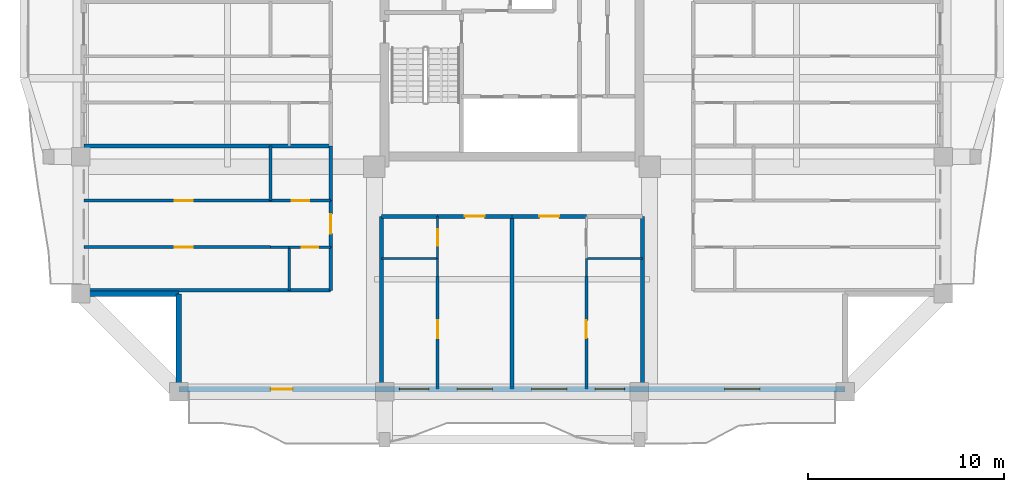
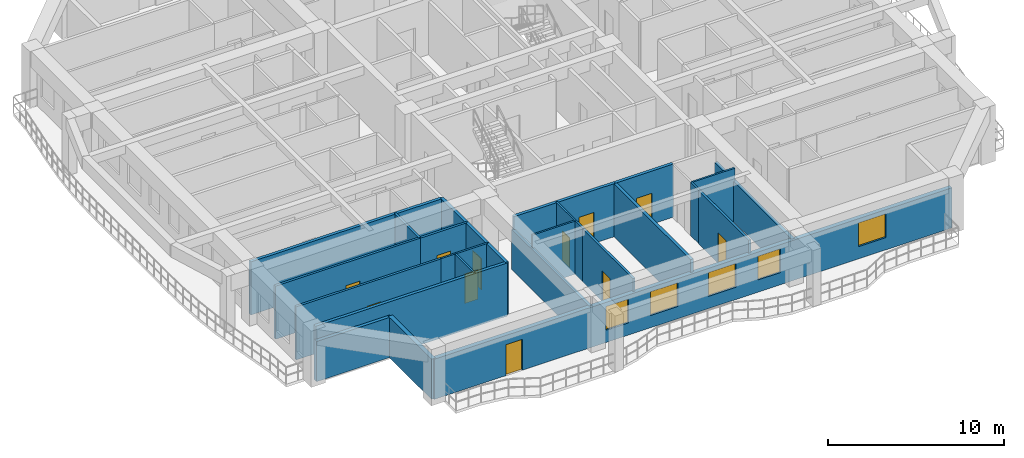
# One storey, part 2 of 15: 28 walls, 11 doors, 5 windows, 16 openings.
"""IFC4 building model written with IfcOpenShell, lengths in metres."""

from ifc_helpers import new_model, si_unit, direction, frame, frame_2d, origin, place, context, subcontext, project, spatial, rectangle, extrude, source, transform, mapped, material, layer, layer_set, type_object, element, fill, save


model = new_model("IFC4")

# Units and contexts
model_context = context("Model", 3, precision=1e-05, world=origin(), true_north=direction((0.0, 1.0)))
body_context = subcontext(model_context, "Body", "Model", "MODEL_VIEW")
ifc_project = project(units=[si_unit("LENGTHUNIT", "METRE"), si_unit("AREAUNIT", "SQUARE_METRE"), si_unit("VOLUMEUNIT", "CUBIC_METRE"), si_unit("PLANEANGLEUNIT", "RADIAN"), si_unit("MASSUNIT", "GRAM", prefix="KILO")], contexts=[model_context])

# Site, building, storey
site_placement = place(None, origin())
site = spatial("IfcSite", under=ifc_project, at=site_placement, CompositionType="ELEMENT")
building_placement = place(site_placement, origin())
building = spatial("IfcBuilding", under=site, at=building_placement, Name="Saelheon Loggia Tower", CompositionType="ELEMENT")
storey_placement = place(building_placement, frame((0.0, 0.0, 159.10009765625)))
storey = spatial("IfcBuildingStorey", under=building, at=storey_placement, Name="L50", CompositionType="ELEMENT", Elevation=159.10009765625)

# Wall, openings, windows, door
ifc_material_1 = material(Name="Architectural Precast Concrete C40/50", Category="concrete")
ifc_layer_1 = layer(ifc_material_1, 0.280029296875)
ifc_layer_set_1 = layer_set([ifc_layer_1], Name="Architectural Precast Concrete C40/50")
wall_type_1 = type_object("IfcWallType", Name="Wall_Ext_Loggia_280", PredefinedType="SOLIDWALL", material=ifc_layer_set_1)
wall_1_placement = place(storey_placement, frame((21.0, 6.139892578125, 0.0), z_axis=(0.0, 0.0, 1.0), x_axis=(1.0, 0.0, 0.0)))
wall_1 = element("IfcWall", 1, at=wall_1_placement, inside=storey, type_object=wall_type_1, Name="L50 South Loggia Inner Wall", PredefinedType="SOLIDWALL", context=body_context, shape_type="SweptSolid", body=[
    extrude(rectangle(XDim=34.0, YDim=0.280029296875, at=frame_2d((17.0, 0.0))), origin(), (0.0, 0.0, 1.0), 2.789794921875),
])
opening_1_placement = place(wall_1_placement, frame((5.800048828125, 0.0, 0.0), z_axis=(0.0, 0.0, 1.0), x_axis=(-1.0, 0.0, 0.0)))
opening_1 = element("IfcOpeningElement", 2, at=opening_1_placement, cuts=wall_1, Name="Opening TD1", PredefinedType="OPENING", context=body_context, shape_type="SweptSolid", body=[
    extrude(rectangle(XDim=1.10009765625, YDim=2.14990234375, at=frame_2d((0.550048828125, 1.074951171875))), frame((0.0, 0.152099609375, 0.0), z_axis=(0.0, -1.0, 0.0), x_axis=(1.0, 0.0, 0.0)), (0.0, 0.0, 1.0), 0.303955078125),
])
opening_2_placement = place(wall_1_placement, frame((11.257568359375, 0.0, 0.85009765625)))
opening_2 = element("IfcOpeningElement", 3, at=opening_2_placement, cuts=wall_1, Name="Opening WN-02", PredefinedType="OPENING", context=body_context, shape_type="SweptSolid", body=[
    extrude(rectangle(XDim=1.5, YDim=1.64990234375, at=frame_2d((0.75, 0.824951171875))), frame((0.0, 0.152099609375, 0.0), z_axis=(0.0, -1.0, 0.0), x_axis=(1.0, 0.0, 0.0)), (0.0, 0.0, 1.0), 0.303955078125),
])
opening_3_placement = place(wall_1_placement, frame((14.199951171875, 0.0, 0.85009765625)))
opening_3 = element("IfcOpeningElement", 4, at=opening_3_placement, cuts=wall_1, Name="Opening WN-01", PredefinedType="OPENING", context=body_context, shape_type="SweptSolid", body=[
    extrude(rectangle(XDim=1.800048828125, YDim=1.64990234375, at=frame_2d((0.89990234375, 0.824951171875))), frame((0.0, 0.152099609375, 0.0), z_axis=(0.0, -1.0, 0.0), x_axis=(1.0, 0.0, 0.0)), (0.0, 0.0, 1.0), 0.303955078125),
])
opening_4_placement = place(wall_1_placement, frame((18.0, 0.0, 0.85009765625)))
opening_4 = element("IfcOpeningElement", 5, at=opening_4_placement, cuts=wall_1, Name="Opening WN-01", PredefinedType="OPENING", context=body_context, shape_type="SweptSolid", body=[
    extrude(rectangle(XDim=1.800048828125, YDim=1.64990234375, at=frame_2d((0.89990234375, 0.824951171875))), frame((0.0, 0.152099609375, 0.0), z_axis=(0.0, -1.0, 0.0), x_axis=(1.0, 0.0, 0.0)), (0.0, 0.0, 1.0), 0.303955078125),
])
opening_5_placement = place(wall_1_placement, frame((21.242431640625, 0.0, 0.85009765625)))
opening_5 = element("IfcOpeningElement", 6, at=opening_5_placement, cuts=wall_1, Name="Opening WN-02", PredefinedType="OPENING", context=body_context, shape_type="SweptSolid", body=[
    extrude(rectangle(XDim=1.5, YDim=1.64990234375, at=frame_2d((0.75, 0.824951171875))), frame((0.0, 0.152099609375, 0.0), z_axis=(0.0, -1.0, 0.0), x_axis=(1.0, 0.0, 0.0)), (0.0, 0.0, 1.0), 0.303955078125),
])
opening_6_placement = place(wall_1_placement, frame((27.85009765625, 0.0, 0.85009765625)))
opening_6 = element("IfcOpeningElement", 7, at=opening_6_placement, cuts=wall_1, Name="Opening WN-01", PredefinedType="OPENING", context=body_context, shape_type="SweptSolid", body=[
    extrude(rectangle(XDim=1.800048828125, YDim=1.64990234375, at=frame_2d((0.89990234375, 0.824951171875))), frame((0.0, 0.152099609375, 0.0), z_axis=(0.0, -1.0, 0.0), x_axis=(1.0, 0.0, 0.0)), (0.0, 0.0, 1.0), 0.303955078125),
])
ifc_material_2 = material(Name="Thermal-Break Aluminium and Triple Low-E Glass", Category="aluminium")
window_type_1 = type_object("IfcWindowType", Name="Win_Dwelling_1800x1650", PartitioningType="SINGLE_PANEL", PredefinedType="WINDOW", material=ifc_material_2)
shared_shape_1 = source(origin(), body_context, "Body", "SweptSolid", [
    extrude(rectangle(XDim=1.800048828125, YDim=1.64990234375, at=frame_2d((0.89990234375, 0.824951171875))), frame((0.0, 0.030029296875, 0.0), z_axis=(0.0, -1.0, 0.0), x_axis=(1.0, 0.0, 0.0)), (0.0, 0.0, 1.0), 0.06005859375),
])
window_1_placement = place(opening_3_placement, origin())
window_1 = element("IfcWindow", 8, at=window_1_placement, inside=storey, type_object=window_type_1, Name="L50 S Dwelling Window 3", OverallHeight=1.64990234375, OverallWidth=1.800048828125, PartitioningType="SINGLE_PANEL", PredefinedType="WINDOW", context=body_context, shape_type="MappedRepresentation", body=[
    mapped(shared_shape_1, transform((0.0, 0.0, 0.0), scale=1.0)),
])
fill(opening_3, window_1)
window_2_placement = place(opening_4_placement, origin())
window_2 = element("IfcWindow", 9, at=window_2_placement, inside=storey, type_object=window_type_1, Name="L50 S Dwelling Window 4", OverallHeight=1.64990234375, OverallWidth=1.800048828125, PartitioningType="SINGLE_PANEL", PredefinedType="WINDOW", context=body_context, shape_type="MappedRepresentation", body=[
    mapped(shared_shape_1, transform((0.0, 0.0, 0.0), scale=1.0)),
])
fill(opening_4, window_2)
window_3_placement = place(opening_6_placement, origin())
window_3 = element("IfcWindow", 10, at=window_3_placement, inside=storey, type_object=window_type_1, Name="L50 S Dwelling Window 6", OverallHeight=1.64990234375, OverallWidth=1.800048828125, PartitioningType="SINGLE_PANEL", PredefinedType="WINDOW", context=body_context, shape_type="MappedRepresentation", body=[
    mapped(shared_shape_1, transform((0.0, 0.0, 0.0), scale=1.0)),
])
fill(opening_6, window_3)
ifc_material_3 = material(Name="Thermal-Break Aluminium Glazed Door", Category="aluminium")
door_type_1 = type_object("IfcDoorType", Name="Door_Terrace_TD1", OperationType="NOTDEFINED", PredefinedType="DOOR", material=ifc_material_3)
shared_shape_2 = source(origin(), body_context, "Body", "SweptSolid", [
    extrude(rectangle(XDim=1.10009765625, YDim=2.14990234375, at=frame_2d((0.550048828125, 1.074951171875))), frame((0.0, 0.02490234375, 0.0), z_axis=(0.0, -1.0, 0.0), x_axis=(1.0, 0.0, 0.0)), (0.0, 0.0, 1.0), 0.050048828125),
])
door_1_placement = place(opening_1_placement, origin())
door_1 = element("IfcDoor", 11, at=door_1_placement, inside=storey, type_object=door_type_1, Name="L50 S Loggia Access Door", OperationType="SINGLE_SWING_LEFT", OverallHeight=2.14990234375, OverallWidth=1.10009765625, PredefinedType="DOOR", context=body_context, shape_type="MappedRepresentation", body=[
    mapped(shared_shape_2, transform((0.0, 0.0, 0.0), scale=1.0)),
])
fill(opening_1, door_1)
window_type_2 = type_object("IfcWindowType", Name="Win_Dwelling_1500x1650", PartitioningType="SINGLE_PANEL", PredefinedType="WINDOW", material=ifc_material_2)
shared_shape_3 = source(origin(), body_context, "Body", "SweptSolid", [
    extrude(rectangle(XDim=1.5, YDim=1.64990234375, at=frame_2d((0.75, 0.824951171875))), frame((0.0, 0.030029296875, 0.0), z_axis=(0.0, -1.0, 0.0), x_axis=(1.0, 0.0, 0.0)), (0.0, 0.0, 1.0), 0.06005859375),
])
window_4_placement = place(opening_2_placement, origin())
window_4 = element("IfcWindow", 12, at=window_4_placement, inside=storey, type_object=window_type_2, Name="L50 S Dwelling Window 2", OverallHeight=1.64990234375, OverallWidth=1.5, PartitioningType="SINGLE_PANEL", PredefinedType="WINDOW", context=body_context, shape_type="MappedRepresentation", body=[
    mapped(shared_shape_3, transform((0.0, 0.0, 0.0), scale=1.0)),
])
fill(opening_2, window_4)
window_5_placement = place(opening_5_placement, origin())
window_5 = element("IfcWindow", 13, at=window_5_placement, inside=storey, type_object=window_type_2, Name="L50 S Dwelling Window 5", OverallHeight=1.64990234375, OverallWidth=1.5, PartitioningType="SINGLE_PANEL", PredefinedType="WINDOW", context=body_context, shape_type="MappedRepresentation", body=[
    mapped(shared_shape_3, transform((0.0, 0.0, 0.0), scale=1.0)),
])
fill(opening_5, window_5)

# Walls
for number, where, z_axis, x_axis, name in (
    (14, (21.0, 6.080078125, 0.0), (0.0, 0.0, 1.0), (0.0, 1.0, 0.0), "L50 Corner Notch Precast Wall SW1"),
    (15, (16.080078125, 11.0, 0.0), (0.0, 0.0, 1.0), (1.0, 0.0, 0.0), "L50 Corner Notch Precast Wall SW2"),
):
    element("IfcWall", number, at=place(storey_placement, frame(where, z_axis=z_axis, x_axis=x_axis)), inside=storey, type_object=wall_type_1, Name=name, PredefinedType="SOLIDWALL", context=body_context, shape_type="SweptSolid", body=[
        extrude(rectangle(XDim=4.919921875, YDim=0.280029296875, at=frame_2d((2.4599609375, 0.0))), origin(), (0.0, 0.0, 1.0), 2.789794921875),
    ])

# Wall, opening, door
ifc_material_4 = material(Name="Lightweight Autoclaved Aerated Concrete Block and Acoustic Gypsum", Category="concrete")
ifc_layer_2 = layer(ifc_material_4, 0.14990234375)
ifc_layer_set_2 = layer_set([ifc_layer_2], Name="Lightweight Autoclaved Aerated Concrete Block and Acoustic Gypsum")
wall_type_2 = type_object("IfcWallType", Name="Wall_Part_150", PredefinedType="PARTITIONING", material=ifc_layer_set_2)
wall_2_placement = place(storey_placement, frame((34.199951171875, 11.8701171875, 0.0), z_axis=(0.0, 0.0, 1.0), x_axis=(0.0, -1.0, 0.0)))
wall_2 = element("IfcWall", 16, at=wall_2_placement, inside=storey, type_object=wall_type_2, Name="L50 S Partition U08", PredefinedType="PARTITIONING", context=body_context, shape_type="SweptSolid", body=[
    extrude(rectangle(XDim=5.72021484375, YDim=0.14990234375, at=frame_2d((2.860107421875, 0.0))), origin(), (0.0, 0.0, 1.0), 3.68994140625),
])
opening_7_placement = place(wall_2_placement, frame((2.229248046875, 0.0, 0.0)))
opening_7 = element("IfcOpeningElement", 17, at=opening_7_placement, cuts=wall_2, Name="Opening D-IN2", PredefinedType="OPENING", context=body_context, shape_type="SweptSolid", body=[
    extrude(rectangle(XDim=0.89990234375, YDim=2.10009765625, at=frame_2d((0.449951171875, 1.050048828125))), frame((0.0, 0.0869140625, 0.0), z_axis=(0.0, -1.0, 0.0), x_axis=(1.0, 0.0, 0.0)), (0.0, 0.0, 1.0), 0.173828125),
])
ifc_material_5 = material(Name="Engineered Oak Flush Door", Category="timber")
door_type_2 = type_object("IfcDoorType", Name="Door_Int_900", OperationType="NOTDEFINED", PredefinedType="DOOR", material=ifc_material_5)
shared_shape_4 = source(origin(), body_context, "Body", "SweptSolid", [
    extrude(rectangle(XDim=0.89990234375, YDim=2.10009765625, at=frame_2d((0.449951171875, 1.050048828125))), frame((0.0, 0.02490234375, 0.0), z_axis=(0.0, -1.0, 0.0), x_axis=(1.0, 0.0, 0.0)), (0.0, 0.0, 1.0), 0.050048828125),
])
door_2_placement = place(opening_7_placement, origin())
door_2 = element("IfcDoor", 18, at=door_2_placement, inside=storey, type_object=door_type_2, Name="Unit U01 Kitchen Door", OperationType="SINGLE_SWING_LEFT", OverallHeight=2.10009765625, OverallWidth=0.89990234375, PredefinedType="DOOR", context=body_context, shape_type="MappedRepresentation", body=[
    mapped(shared_shape_4, transform((0.0, 0.0, 0.0), scale=1.0)),
])
fill(opening_7, door_2)

wall_3_placement = place(storey_placement, frame((41.800048828125, 11.8701171875, 0.0), z_axis=(0.0, 0.0, 1.0), x_axis=(0.0, -1.0, 0.0)))
wall_3 = element("IfcWall", 19, at=wall_3_placement, inside=storey, type_object=wall_type_2, Name="L50 S Partition U15", PredefinedType="PARTITIONING", context=body_context, shape_type="SweptSolid", body=[
    extrude(rectangle(XDim=5.72021484375, YDim=0.14990234375, at=frame_2d((2.860107421875, 0.0))), origin(), (0.0, 0.0, 1.0), 3.68994140625),
])
opening_8_placement = place(wall_3_placement, frame((2.229248046875, 0.0, 0.0)))
opening_8 = element("IfcOpeningElement", 20, at=opening_8_placement, cuts=wall_3, Name="Opening D-IN2", PredefinedType="OPENING", context=body_context, shape_type="SweptSolid", body=[
    extrude(rectangle(XDim=0.89990234375, YDim=2.10009765625, at=frame_2d((0.449951171875, 1.050048828125))), frame((0.0, 0.0869140625, 0.0), z_axis=(0.0, -1.0, 0.0), x_axis=(1.0, 0.0, 0.0)), (0.0, 0.0, 1.0), 0.173828125),
])
door_3_placement = place(opening_8_placement, origin())
door_3 = element("IfcDoor", 21, at=door_3_placement, inside=storey, type_object=door_type_2, Name="Unit U02 Kitchen Door", OperationType="SINGLE_SWING_RIGHT", OverallHeight=2.10009765625, OverallWidth=0.89990234375, PredefinedType="DOOR", context=body_context, shape_type="MappedRepresentation", body=[
    mapped(shared_shape_4, transform((0.0, 0.0, 0.0), scale=1.0)),
])
fill(opening_8, door_3)

# Wall
wall_4_placement = place(storey_placement, frame((25.669921875, 15.74951171875, 0.0), z_axis=(0.0, 0.0, 1.0), x_axis=(0.0, 1.0, 0.0)))
element("IfcWall", 22, at=wall_4_placement, inside=storey, type_object=wall_type_2, Name="L50 WS Partition V07", PredefinedType="PARTITIONING", context=body_context, shape_type="SweptSolid", body=[
    extrude(rectangle(XDim=2.800537109375, YDim=0.14990234375, at=frame_2d((1.400390625, 0.0))), origin(), (0.0, 0.0, 1.0), 3.68994140625),
])

# Wall, opening, door
wall_5_placement = place(storey_placement, frame((25.669921875, 13.3798828125, 0.0), z_axis=(0.0, 0.0, 1.0), x_axis=(-1.0, 0.0, 0.0)))
wall_5 = element("IfcWall", 23, at=wall_5_placement, inside=storey, type_object=wall_type_2, Name="L50 WS Partition U10", PredefinedType="PARTITIONING", context=body_context, shape_type="SweptSolid", body=[
    extrude(rectangle(XDim=9.52001953125, YDim=0.14990234375, at=frame_2d((4.760009765625, 0.0))), origin(), (0.0, 0.0, 1.0), 3.68994140625),
])
opening_9_placement = place(wall_5_placement, frame((3.970703125, 0.0, 0.0)))
opening_9 = element("IfcOpeningElement", 24, at=opening_9_placement, cuts=wall_5, Name="Opening D-IN2", PredefinedType="OPENING", context=body_context, shape_type="SweptSolid", body=[
    extrude(rectangle(XDim=0.89990234375, YDim=2.10009765625, at=frame_2d((0.449951171875, 1.050048828125))), frame((0.0, 0.0869140625, 0.0), z_axis=(0.0, -1.0, 0.0), x_axis=(1.0, 0.0, 0.0)), (0.0, 0.0, 1.0), 0.173828125),
])
door_4_placement = place(opening_9_placement, origin())
door_4 = element("IfcDoor", 25, at=door_4_placement, inside=storey, type_object=door_type_2, Name="Unit U05 Kitchen Door", OperationType="SINGLE_SWING_RIGHT", OverallHeight=2.10009765625, OverallWidth=0.89990234375, PredefinedType="DOOR", context=body_context, shape_type="MappedRepresentation", body=[
    mapped(shared_shape_4, transform((0.0, 0.0, 0.0), scale=1.0)),
])
fill(opening_9, door_4)

wall_6_placement = place(storey_placement, frame((28.75, 15.74951171875, 0.0), z_axis=(0.0, 0.0, 1.0), x_axis=(-1.0, 0.0, 0.0)))
wall_6 = element("IfcWall", 26, at=wall_6_placement, inside=storey, type_object=wall_type_2, Name="L50 WS Partition U11", PredefinedType="PARTITIONING", context=body_context, shape_type="SweptSolid", body=[
    extrude(rectangle(XDim=3.080078125, YDim=0.14990234375, at=frame_2d((1.5400390625, 0.0))), origin(), (0.0, 0.0, 1.0), 3.68994140625),
])
opening_10_placement = place(wall_6_placement, frame((1.090087890625, 0.0, 0.0)))
opening_10 = element("IfcOpeningElement", 27, at=opening_10_placement, cuts=wall_6, Name="Opening D-IN2", PredefinedType="OPENING", context=body_context, shape_type="SweptSolid", body=[
    extrude(rectangle(XDim=0.89990234375, YDim=2.10009765625, at=frame_2d((0.449951171875, 1.050048828125))), frame((0.0, 0.0869140625, 0.0), z_axis=(0.0, -1.0, 0.0), x_axis=(1.0, 0.0, 0.0)), (0.0, 0.0, 1.0), 0.173828125),
])
door_5_placement = place(opening_10_placement, origin())
door_5 = element("IfcDoor", 28, at=door_5_placement, inside=storey, type_object=door_type_2, Name="Unit U05 Dressing Closet Door", OperationType="SINGLE_SWING_LEFT", OverallHeight=2.10009765625, OverallWidth=0.89990234375, PredefinedType="DOOR", context=body_context, shape_type="MappedRepresentation", body=[
    mapped(shared_shape_4, transform((0.0, 0.0, 0.0), scale=1.0)),
])
fill(opening_10, door_5)

wall_7_placement = place(storey_placement, frame((25.669921875, 15.74951171875, 0.0), z_axis=(0.0, 0.0, 1.0), x_axis=(-1.0, 0.0, 0.0)))
wall_7 = element("IfcWall", 29, at=wall_7_placement, inside=storey, type_object=wall_type_2, Name="L50 WS Partition U12", PredefinedType="PARTITIONING", context=body_context, shape_type="SweptSolid", body=[
    extrude(rectangle(XDim=9.52001953125, YDim=0.14990234375, at=frame_2d((4.760009765625, 0.0))), origin(), (0.0, 0.0, 1.0), 3.68994140625),
])
opening_11_placement = place(wall_7_placement, frame((3.970703125, 0.0, 0.0)))
opening_11 = element("IfcOpeningElement", 30, at=opening_11_placement, cuts=wall_7, Name="Opening D-IN2", PredefinedType="OPENING", context=body_context, shape_type="SweptSolid", body=[
    extrude(rectangle(XDim=0.89990234375, YDim=2.10009765625, at=frame_2d((0.449951171875, 1.050048828125))), frame((0.0, 0.0869140625, 0.0), z_axis=(0.0, -1.0, 0.0), x_axis=(1.0, 0.0, 0.0)), (0.0, 0.0, 1.0), 0.173828125),
])
door_6_placement = place(opening_11_placement, origin())
door_6 = element("IfcDoor", 31, at=door_6_placement, inside=storey, type_object=door_type_2, Name="Unit U05 Bedroom 1 Door", OperationType="SINGLE_SWING_RIGHT", OverallHeight=2.10009765625, OverallWidth=0.89990234375, PredefinedType="DOOR", context=body_context, shape_type="MappedRepresentation", body=[
    mapped(shared_shape_4, transform((0.0, 0.0, 0.0), scale=1.0)),
])
fill(opening_11, door_6)

# Walls
ifc_material_6 = material(Name="Double Acoustic Stud and Fireboard Partition", Category="gypsum")
ifc_layer_3 = layer(ifc_material_6, 0.199951171875)
ifc_layer_set_3 = layer_set([ifc_layer_3], Name="Double Acoustic Stud and Fireboard Partition")
wall_type_3 = type_object("IfcWallType", Name="Wall_Party_200", PredefinedType="PARTITIONING", material=ifc_layer_set_3)
for number, where, z_axis, x_axis, name in (
    (32, (31.35009765625, 14.949951171875, 0.0), (0.0, 0.0, 1.0), (0.0, -1.0, 0.0), "L50 S Partition U01"),
    (33, (44.64990234375, 14.949951171875, 0.0), (0.0, 0.0, 1.0), (0.0, -1.0, 0.0), "L50 S Partition U02"),
):
    element("IfcWall", number, at=place(storey_placement, frame(where, z_axis=z_axis, x_axis=x_axis)), inside=storey, type_object=wall_type_3, Name=name, PredefinedType="PARTITIONING", context=body_context, shape_type="SweptSolid", body=[
        extrude(rectangle(XDim=8.800048828125, YDim=0.199951171875, at=frame_2d((4.39990234375, 0.0))), origin(), (0.0, 0.0, 1.0), 2.789794921875),
    ])
wall_8_placement = place(storey_placement, frame((31.35009765625, 14.949951171875, 0.0), z_axis=(0.0, 0.0, 1.0), x_axis=(1.0, 0.0, 0.0)))
element("IfcWall", 34, at=wall_8_placement, inside=storey, type_object=wall_type_3, Name="L50 S Partition V03", PredefinedType="PARTITIONING", context=body_context, shape_type="SweptSolid", body=[
    extrude(rectangle(XDim=2.849853515625, YDim=0.199951171875, at=frame_2d((1.4248046875, 0.0))), origin(), (0.0, 0.0, 1.0), 3.68994140625),
])

# Wall, opening, door
wall_9_placement = place(storey_placement, frame((34.199951171875, 14.949951171875, 0.0), z_axis=(0.0, 0.0, 1.0), x_axis=(1.0, 0.0, 0.0)))
wall_9 = element("IfcWall", 35, at=wall_9_placement, inside=storey, type_object=wall_type_3, Name="L50 S Partition V04", PredefinedType="PARTITIONING", context=body_context, shape_type="SweptSolid", body=[
    extrude(rectangle(XDim=3.800048828125, YDim=0.199951171875, at=frame_2d((1.89990234375, 0.0))), origin(), (0.0, 0.0, 1.0), 3.68994140625),
])
opening_12_placement = place(wall_9_placement, frame((1.39990234375, 0.0, 0.0)))
opening_12 = element("IfcOpeningElement", 36, at=opening_12_placement, cuts=wall_9, Name="Opening D-FD1", PredefinedType="OPENING", context=body_context, shape_type="SweptSolid", body=[
    extrude(rectangle(XDim=1.0, YDim=2.14990234375, at=frame_2d((0.5, 1.074951171875))), frame((0.0, 0.112060546875, 0.0), z_axis=(0.0, -1.0, 0.0), x_axis=(1.0, 0.0, 0.0)), (0.0, 0.0, 1.0), 0.223876953125),
])
ifc_material_7 = material(Name="Fire-Rated Engineered Timber Entrance Door", Category="wood")
door_type_3 = type_object("IfcDoorType", Name="Door_Flat_FD30S", OperationType="NOTDEFINED", PredefinedType="DOOR", material=ifc_material_7)
shared_shape_5 = source(origin(), body_context, "Body", "SweptSolid", [
    extrude(rectangle(XDim=1.0, YDim=2.14990234375, at=frame_2d((0.5, 1.074951171875))), frame((0.0, 0.02490234375, 0.0), z_axis=(0.0, -1.0, 0.0), x_axis=(1.0, 0.0, 0.0)), (0.0, 0.0, 1.0), 0.050048828125),
])
door_7_placement = place(opening_12_placement, origin())
door_7 = element("IfcDoor", 37, at=door_7_placement, inside=storey, type_object=door_type_3, Name="Unit U01 Entrance Door", OperationType="SINGLE_SWING_LEFT", OverallHeight=2.14990234375, OverallWidth=1.0, PredefinedType="DOOR", context=body_context, shape_type="MappedRepresentation", body=[
    mapped(shared_shape_5, transform((0.0, 0.0, 0.0), scale=1.0)),
])
fill(opening_12, door_7)

# Wall
wall_10_placement = place(storey_placement, frame((38.0, 14.949951171875, 0.0), z_axis=(0.0, 0.0, 1.0), x_axis=(0.0, -1.0, 0.0)))
element("IfcWall", 38, at=wall_10_placement, inside=storey, type_object=wall_type_3, Name="L50 S Partition U09", PredefinedType="PARTITIONING", context=body_context, shape_type="SweptSolid", body=[
    extrude(rectangle(XDim=8.800048828125, YDim=0.199951171875, at=frame_2d((4.39990234375, 0.0))), origin(), (0.0, 0.0, 1.0), 3.68994140625),
])

# Wall, opening, door
wall_11_placement = place(storey_placement, frame((38.0, 14.949951171875, 0.0), z_axis=(0.0, 0.0, 1.0), x_axis=(1.0, 0.0, 0.0)))
wall_11 = element("IfcWall", 39, at=wall_11_placement, inside=storey, type_object=wall_type_3, Name="L50 S Partition V10", PredefinedType="PARTITIONING", context=body_context, shape_type="SweptSolid", body=[
    extrude(rectangle(XDim=3.800048828125, YDim=0.199951171875, at=frame_2d((1.89990234375, 0.0))), origin(), (0.0, 0.0, 1.0), 3.68994140625),
])
opening_13_placement = place(wall_11_placement, frame((1.39990234375, 0.0, 0.0)))
opening_13 = element("IfcOpeningElement", 40, at=opening_13_placement, cuts=wall_11, Name="Opening D-FD1", PredefinedType="OPENING", context=body_context, shape_type="SweptSolid", body=[
    extrude(rectangle(XDim=1.0, YDim=2.14990234375, at=frame_2d((0.5, 1.074951171875))), frame((0.0, 0.112060546875, 0.0), z_axis=(0.0, -1.0, 0.0), x_axis=(1.0, 0.0, 0.0)), (0.0, 0.0, 1.0), 0.223876953125),
])
door_8_placement = place(opening_13_placement, origin())
door_8 = element("IfcDoor", 41, at=door_8_placement, inside=storey, type_object=door_type_3, Name="Unit U02 Entrance Door", OperationType="SINGLE_SWING_RIGHT", OverallHeight=2.14990234375, OverallWidth=1.0, PredefinedType="DOOR", context=body_context, shape_type="MappedRepresentation", body=[
    mapped(shared_shape_5, transform((0.0, 0.0, 0.0), scale=1.0)),
])
fill(opening_13, door_8)

# Walls
wall_12_placement = place(storey_placement, frame((28.75, 11.179931640625, 0.0), z_axis=(0.0, 0.0, 1.0), x_axis=(-1.0, 0.0, 0.0)))
element("IfcWall", 42, at=wall_12_placement, inside=storey, type_object=wall_type_3, Name="L50 WS Partition U01", PredefinedType="PARTITIONING", context=body_context, shape_type="SweptSolid", body=[
    extrude(rectangle(XDim=12.60009765625, YDim=0.199951171875, at=frame_2d((6.300048828125, 0.0))), origin(), (0.0, 0.0, 1.0), 3.68994140625),
])
wall_13_placement = place(storey_placement, frame((28.75, 11.179931640625, 0.0), z_axis=(0.0, 0.0, 1.0), x_axis=(0.0, 1.0, 0.0)))
element("IfcWall", 43, at=wall_13_placement, inside=storey, type_object=wall_type_3, Name="L50 WS Partition V03", PredefinedType="PARTITIONING", context=body_context, shape_type="SweptSolid", body=[
    extrude(rectangle(XDim=2.199951171875, YDim=0.199951171875, at=frame_2d((1.10009765625, 0.0))), origin(), (0.0, 0.0, 1.0), 3.68994140625),
])

# Wall, opening, door
wall_14_placement = place(storey_placement, frame((28.75, 13.3798828125, 0.0), z_axis=(0.0, 0.0, 1.0), x_axis=(0.0, 1.0, 0.0)))
wall_14 = element("IfcWall", 44, at=wall_14_placement, inside=storey, type_object=wall_type_3, Name="L50 WS Partition V04", PredefinedType="PARTITIONING", context=body_context, shape_type="SweptSolid", body=[
    extrude(rectangle(XDim=2.36962890625, YDim=0.199951171875, at=frame_2d((1.184814453125, 0.0))), origin(), (0.0, 0.0, 1.0), 3.68994140625),
])
opening_14_placement = place(wall_14_placement, frame((0.684814453125, 0.0, 0.0)))
opening_14 = element("IfcOpeningElement", 45, at=opening_14_placement, cuts=wall_14, Name="Opening D-FD1", PredefinedType="OPENING", context=body_context, shape_type="SweptSolid", body=[
    extrude(rectangle(XDim=1.0, YDim=2.14990234375, at=frame_2d((0.5, 1.074951171875))), frame((0.0, 0.112060546875, 0.0), z_axis=(0.0, -1.0, 0.0), x_axis=(1.0, 0.0, 0.0)), (0.0, 0.0, 1.0), 0.223876953125),
])
door_9_placement = place(opening_14_placement, origin())
door_9 = element("IfcDoor", 46, at=door_9_placement, inside=storey, type_object=door_type_3, Name="Unit U05 Entrance Door", OperationType="SINGLE_SWING_RIGHT", OverallHeight=2.14990234375, OverallWidth=1.0, PredefinedType="DOOR", context=body_context, shape_type="MappedRepresentation", body=[
    mapped(shared_shape_5, transform((0.0, 0.0, 0.0), scale=1.0)),
])
fill(opening_14, door_9)

# Walls
wall_15_placement = place(storey_placement, frame((28.75, 15.74951171875, 0.0), z_axis=(0.0, 0.0, 1.0), x_axis=(0.0, 1.0, 0.0)))
element("IfcWall", 47, at=wall_15_placement, inside=storey, type_object=wall_type_3, Name="L50 WS Partition V05", PredefinedType="PARTITIONING", context=body_context, shape_type="SweptSolid", body=[
    extrude(rectangle(XDim=2.800537109375, YDim=0.199951171875, at=frame_2d((1.400390625, 0.0))), origin(), (0.0, 0.0, 1.0), 3.68994140625),
])
wall_16_placement = place(storey_placement, frame((28.75, 18.550048828125, 0.0), z_axis=(0.0, 0.0, 1.0), x_axis=(-1.0, 0.0, 0.0)))
element("IfcWall", 48, at=wall_16_placement, inside=storey, type_object=wall_type_3, Name="L50 WS Partition U13", PredefinedType="PARTITIONING", context=body_context, shape_type="SweptSolid", body=[
    extrude(rectangle(XDim=12.60009765625, YDim=0.199951171875, at=frame_2d((6.300048828125, 0.0))), origin(), (0.0, 0.0, 1.0), 3.68994140625),
])

# Wall, opening, door
ifc_material_8 = material(Name="Moisture-Resistant Cement Board Partition", Category="gypsum")
ifc_layer_4 = layer(ifc_material_8, 0.1201171875)
ifc_layer_set_4 = layer_set([ifc_layer_4], Name="Moisture-Resistant Cement Board Partition")
wall_type_4 = type_object("IfcWallType", Name="Wall_WetPart_120", PredefinedType="PARTITIONING", material=ifc_layer_set_4)
wall_17_placement = place(storey_placement, frame((34.199951171875, 14.949951171875, 0.0), z_axis=(0.0, 0.0, 1.0), x_axis=(0.0, -1.0, 0.0)))
wall_17 = element("IfcWall", 49, at=wall_17_placement, inside=storey, type_object=wall_type_4, Name="L50 S Partition U05", PredefinedType="PARTITIONING", context=body_context, shape_type="SweptSolid", body=[
    extrude(rectangle(XDim=2.14990234375, YDim=0.1201171875, at=frame_2d((1.074951171875, 0.0))), origin(), (0.0, 0.0, 1.0), 3.68994140625),
])
opening_15_placement = place(wall_17_placement, frame((0.64990234375, 0.0, 0.0)))
opening_15 = element("IfcOpeningElement", 50, at=opening_15_placement, cuts=wall_17, Name="Opening D-BT1", PredefinedType="OPENING", context=body_context, shape_type="SweptSolid", body=[
    extrude(rectangle(XDim=0.85009765625, YDim=2.050048828125, at=frame_2d((0.425048828125, 1.02490234375))), frame((0.0, 0.072021484375, 0.0), z_axis=(0.0, -1.0, 0.0), x_axis=(1.0, 0.0, 0.0)), (0.0, 0.0, 1.0), 0.14404296875),
])
ifc_material_9 = material(Name="Moisture-Resistant Laminate Timber Door", Category="wood")
door_type_4 = type_object("IfcDoorType", Name="Door_Bath_850", OperationType="NOTDEFINED", PredefinedType="DOOR", material=ifc_material_9)
shared_shape_6 = source(origin(), body_context, "Body", "SweptSolid", [
    extrude(rectangle(XDim=0.85009765625, YDim=2.050048828125, at=frame_2d((0.425048828125, 1.02490234375))), frame((0.0, 0.02490234375, 0.0), z_axis=(0.0, -1.0, 0.0), x_axis=(1.0, 0.0, 0.0)), (0.0, 0.0, 1.0), 0.050048828125),
])
door_10_placement = place(opening_15_placement, origin())
door_10 = element("IfcDoor", 51, at=door_10_placement, inside=storey, type_object=door_type_4, Name="Unit U01 Bathroom Door", OperationType="SINGLE_SWING_RIGHT", OverallHeight=2.050048828125, OverallWidth=0.85009765625, PredefinedType="DOOR", context=body_context, shape_type="MappedRepresentation", body=[
    mapped(shared_shape_6, transform((0.0, 0.0, 0.0), scale=1.0)),
])
fill(opening_15, door_10)

# Walls
wall_18_placement = place(storey_placement, frame((34.199951171875, 12.800048828125, 0.0), z_axis=(0.0, 0.0, 1.0), x_axis=(0.0, -1.0, 0.0)))
element("IfcWall", 52, at=wall_18_placement, inside=storey, type_object=wall_type_4, Name="L50 S Partition U06", PredefinedType="PARTITIONING", context=body_context, shape_type="SweptSolid", body=[
    extrude(rectangle(XDim=0.929931640625, YDim=0.1201171875, at=frame_2d((0.46484375, 0.0))), origin(), (0.0, 0.0, 1.0), 3.68994140625),
])
wall_19_placement = place(storey_placement, frame((31.35009765625, 12.800048828125, 0.0), z_axis=(0.0, 0.0, 1.0), x_axis=(1.0, 0.0, 0.0)))
element("IfcWall", 53, at=wall_19_placement, inside=storey, type_object=wall_type_4, Name="L50 S Partition V07", PredefinedType="PARTITIONING", context=body_context, shape_type="SweptSolid", body=[
    extrude(rectangle(XDim=2.849853515625, YDim=0.1201171875, at=frame_2d((1.4248046875, 0.0))), origin(), (0.0, 0.0, 1.0), 3.68994140625),
])
wall_20_placement = place(storey_placement, frame((41.800048828125, 12.800048828125, 0.0), z_axis=(0.0, 0.0, 1.0), x_axis=(0.0, -1.0, 0.0)))
element("IfcWall", 54, at=wall_20_placement, inside=storey, type_object=wall_type_4, Name="L50 S Partition U13", PredefinedType="PARTITIONING", context=body_context, shape_type="SweptSolid", body=[
    extrude(rectangle(XDim=0.929931640625, YDim=0.1201171875, at=frame_2d((0.46484375, 0.0))), origin(), (0.0, 0.0, 1.0), 3.68994140625),
])
wall_21_placement = place(storey_placement, frame((41.800048828125, 12.800048828125, 0.0), z_axis=(0.0, 0.0, 1.0), x_axis=(1.0, 0.0, 0.0)))
element("IfcWall", 55, at=wall_21_placement, inside=storey, type_object=wall_type_4, Name="L50 S Partition V14", PredefinedType="PARTITIONING", context=body_context, shape_type="SweptSolid", body=[
    extrude(rectangle(XDim=2.849853515625, YDim=0.1201171875, at=frame_2d((1.4248046875, 0.0))), origin(), (0.0, 0.0, 1.0), 3.68994140625),
])
wall_22_placement = place(storey_placement, frame((26.6298828125, 11.179931640625, 0.0), z_axis=(0.0, 0.0, 1.0), x_axis=(0.0, 1.0, 0.0)))
element("IfcWall", 56, at=wall_22_placement, inside=storey, type_object=wall_type_4, Name="L50 WS Partition V06", PredefinedType="PARTITIONING", context=body_context, shape_type="SweptSolid", body=[
    extrude(rectangle(XDim=2.199951171875, YDim=0.1201171875, at=frame_2d((1.10009765625, 0.0))), origin(), (0.0, 0.0, 1.0), 3.68994140625),
])

# Wall, opening, door
wall_23_placement = place(storey_placement, frame((28.75, 13.3798828125, 0.0), z_axis=(0.0, 0.0, 1.0), x_axis=(-1.0, 0.0, 0.0)))
wall_23 = element("IfcWall", 57, at=wall_23_placement, inside=storey, type_object=wall_type_4, Name="L50 WS Partition U08", PredefinedType="PARTITIONING", context=body_context, shape_type="SweptSolid", body=[
    extrude(rectangle(XDim=2.1201171875, YDim=0.1201171875, at=frame_2d((1.06005859375, 0.0))), origin(), (0.0, 0.0, 1.0), 3.68994140625),
])
opening_16_placement = place(wall_23_placement, frame((0.635009765625, 0.0, 0.0)))
opening_16 = element("IfcOpeningElement", 58, at=opening_16_placement, cuts=wall_23, Name="Opening D-BT1", PredefinedType="OPENING", context=body_context, shape_type="SweptSolid", body=[
    extrude(rectangle(XDim=0.85009765625, YDim=2.050048828125, at=frame_2d((0.425048828125, 1.02490234375))), frame((0.0, 0.072021484375, 0.0), z_axis=(0.0, -1.0, 0.0), x_axis=(1.0, 0.0, 0.0)), (0.0, 0.0, 1.0), 0.14404296875),
])
door_11_placement = place(opening_16_placement, origin())
door_11 = element("IfcDoor", 59, at=door_11_placement, inside=storey, type_object=door_type_4, Name="Unit U05 Bathroom Door", OperationType="SINGLE_SWING_LEFT", OverallHeight=2.050048828125, OverallWidth=0.85009765625, PredefinedType="DOOR", context=body_context, shape_type="MappedRepresentation", body=[
    mapped(shared_shape_6, transform((0.0, 0.0, 0.0), scale=1.0)),
])
fill(opening_16, door_11)

# Wall
wall_24_placement = place(storey_placement, frame((26.6298828125, 13.3798828125, 0.0), z_axis=(0.0, 0.0, 1.0), x_axis=(-1.0, 0.0, 0.0)))
element("IfcWall", 60, at=wall_24_placement, inside=storey, type_object=wall_type_4, Name="L50 WS Partition U09", PredefinedType="PARTITIONING", context=body_context, shape_type="SweptSolid", body=[
    extrude(rectangle(XDim=0.9599609375, YDim=0.1201171875, at=frame_2d((0.47998046875, 0.0))), origin(), (0.0, 0.0, 1.0), 3.68994140625),
])

save(model, "model.ifc")
